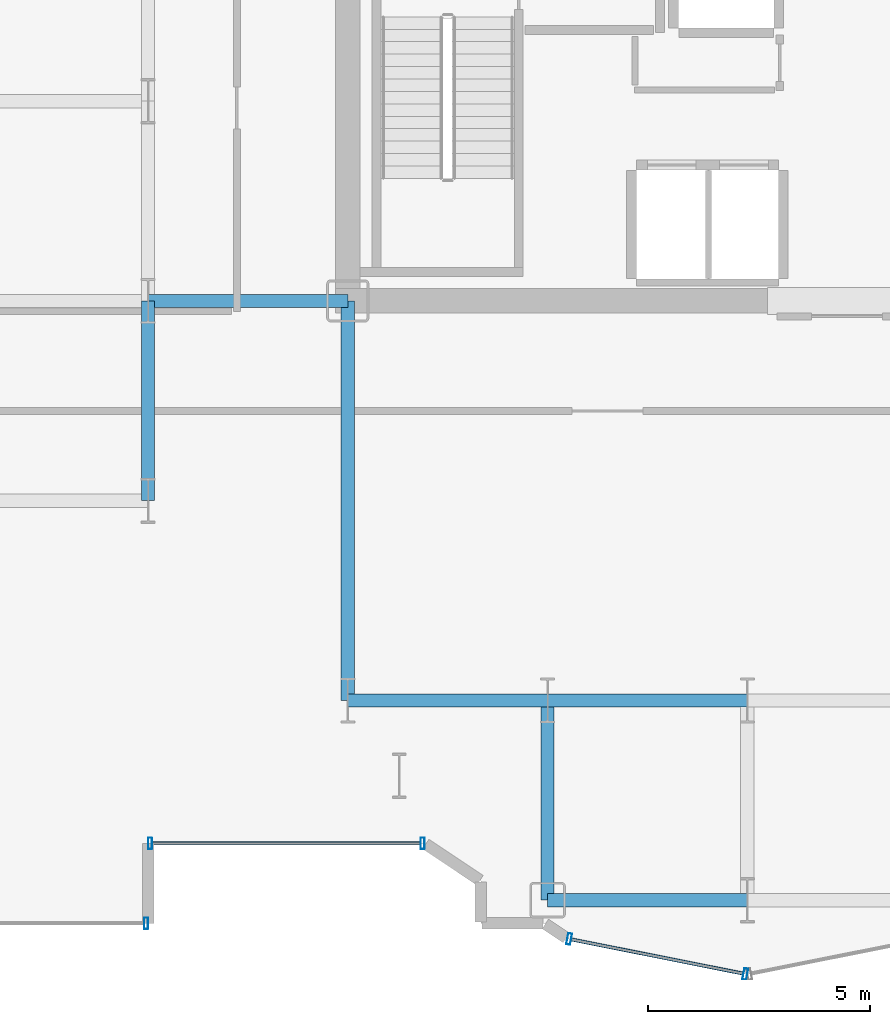
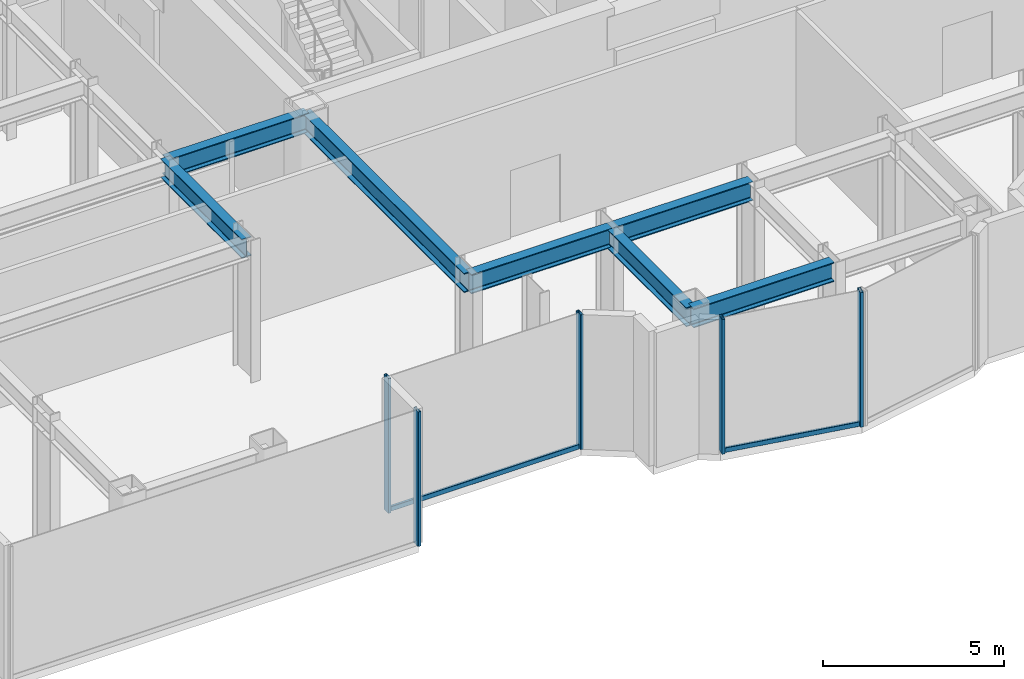
# One storey, part 4 of 27: 7 beams, 7 members, 3 elements without a shape of their own.
"""IFC4 building model written with IfcOpenShell, lengths in metres."""

import ifcopenshell
import ifcopenshell.guid

model = None  # the IFC model being written
_history = None  # IfcOwnerHistory: only IFC2X3 demands one
_inside = {}  # id of a spatial element -> (the spatial element, [elements in it])
_under = {}  # id of a project, library or spatial element -> (it, [spatial elements below it])
_declared = {}  # id of a project -> (the project, [libraries it declares])
_typed = {}  # id of a type object -> (the type object, [elements of that type])
_made_of = {}  # id of a material, layer set ... -> (it, [elements and type objects made of it])


def new_model(schema):
    """Start an empty IFC model of exactly this schema.

    Asked for "IFC4X3", IfcOpenShell would pick the latest addendum, in which some entities
    have other attributes; the version numbers below select the first issue.
    IFC2X3 requires an IfcOwnerHistory on every rooted entity: one is made here for all.
    """
    global model, _history
    if schema == "IFC4X3":
        model = ifcopenshell.file(schema_version=(4, 3, 0, 0))
    else:
        model = ifcopenshell.file(schema=schema)
    _inside.clear()
    _under.clear()
    _declared.clear()
    _typed.clear()
    _made_of.clear()
    _history = None
    if model.schema == "IFC2X3":
        org = make("IfcOrganization", Name="unknown")
        user = make(
            "IfcPersonAndOrganization",
            ThePerson=make("IfcPerson", FamilyName="unknown"),
            TheOrganization=org,
        )
        app = make(
            "IfcApplication",
            ApplicationDeveloper=org,
            Version="unknown",
            ApplicationFullName="unknown",
            ApplicationIdentifier="unknown",
        )
        _history = make(
            "IfcOwnerHistory",
            OwningUser=user,
            OwningApplication=app,
            ChangeAction="ADDED",
            CreationDate=0,
        )
    return model


def make(cls, **values):
    """One entity of the class cls with the attributes given. An attribute that is None is left unset."""
    return model.create_entity(
        cls, **{name: value for name, value in values.items() if value is not None}
    )


def rooted(cls, **values):
    """An entity with a GlobalId (a new one), such as an element, a storey or a relation."""
    return make(cls, GlobalId=ifcopenshell.guid.new(), OwnerHistory=_history, **values)


def si_unit(unit_type, name, prefix=None):
    """IfcSIUnit, for example si_unit("LENGTHUNIT", "METRE", prefix="MILLI")."""
    return make("IfcSIUnit", UnitType=unit_type, Prefix=prefix, Name=name)


def assignment(units):
    """IfcUnitAssignment: the units of a project."""
    return None if units is None else make("IfcUnitAssignment", Units=units)


def point(xyz):
    """IfcCartesianPoint."""
    return None if xyz is None else make("IfcCartesianPoint", Coordinates=xyz)


def direction(xyz):
    """IfcDirection."""
    return None if xyz is None else make("IfcDirection", DirectionRatios=xyz)


def frame(location, z_axis=None, x_axis=None):
    """IfcAxis2Placement3D, a coordinate frame: its origin and axes. An axis left out is left unset."""
    return make(
        "IfcAxis2Placement3D",
        Location=point(location),
        Axis=direction(z_axis),
        RefDirection=direction(x_axis),
    )


def frame_2d(location, x_axis=None):
    """IfcAxis2Placement2D, a coordinate frame in the plane: its origin and x axis."""
    return make(
        "IfcAxis2Placement2D", Location=point(location), RefDirection=direction(x_axis)
    )


def origin():
    """The frame at (0, 0, 0) with its axes left unset."""
    return frame((0.0, 0.0, 0.0))


def origin_2d():
    """The frame at (0, 0) in the plane with its x axis left unset."""
    return frame_2d((0.0, 0.0))


def place(relative_to, where):
    """IfcLocalPlacement: puts the frame where relative to a parent placement (None: the world)."""
    return make(
        "IfcLocalPlacement", PlacementRelTo=relative_to, RelativePlacement=where
    )


def context(
    kind, dimensions, precision=None, world=None, true_north=None, identifier=None
):
    """IfcGeometricRepresentationContext, for example the 3D "Model" context."""
    return make(
        "IfcGeometricRepresentationContext",
        ContextIdentifier=identifier,
        ContextType=kind,
        CoordinateSpaceDimension=dimensions,
        Precision=precision,
        WorldCoordinateSystem=world,
        TrueNorth=true_north,
    )


def subcontext(parent, identifier, kind, view, scale=None):
    """IfcGeometricRepresentationSubContext, for example "Body" below "Model"."""
    return make(
        "IfcGeometricRepresentationSubContext",
        ContextIdentifier=identifier,
        ContextType=kind,
        ParentContext=parent,
        TargetScale=scale,
        TargetView=view,
    )


def project(units=None, contexts=None):
    """IfcProject with its units and contexts."""
    return rooted(
        "IfcProject",
        Name="project",
        RepresentationContexts=contexts,
        UnitsInContext=assignment(units),
    )


def spatial(cls, under=None, at=None, **own):
    """A site, building, storey or space (cls), placed at a placement, below another one or the project."""
    s = rooted(cls, ObjectPlacement=at, **own)
    if under is not None:
        _under.setdefault(under.id(), (under, []))[1].append(s)
    return s


def profile(cls, at=None, kind="AREA", **sizes):
    """A parametric profile (cls). Its sizes go by their IFC names, for example OverallWidth=200.0."""
    return make(cls, ProfileType=kind, Position=at, **sizes)


def hollow_rectangle(**sizes):
    """IfcRectangleHollowProfileDef."""
    return profile("IfcRectangleHollowProfileDef", **sizes)


def i_section(**sizes):
    """IfcIShapeProfileDef."""
    return profile("IfcIShapeProfileDef", **sizes)


def extrude(swept, where, along, depth):
    """IfcExtrudedAreaSolid: the profile swept, set in the frame where, extruded along a direction by depth."""
    return make(
        "IfcExtrudedAreaSolid",
        SweptArea=swept,
        Position=where,
        ExtrudedDirection=direction(along),
        Depth=depth,
    )


def shape(context_of_items, identifier, shape_type, items):
    """IfcShapeRepresentation: the items that make up one representation, for example the "Body"."""
    return make(
        "IfcShapeRepresentation",
        ContextOfItems=context_of_items,
        RepresentationIdentifier=identifier,
        RepresentationType=shape_type,
        Items=items,
    )


def source(mapping_origin, context_of_items, identifier, shape_type, items):
    """IfcRepresentationMap: a shape defined once, which mapped items show again and again."""
    return make(
        "IfcRepresentationMap",
        MappingOrigin=mapping_origin,
        MappedRepresentation=shape(context_of_items, identifier, shape_type, items),
    )


def transform(
    local_origin,
    x_axis=None,
    y_axis=None,
    z_axis=None,
    scale=None,
    scale2=None,
    scale3=None,
    uniform=True,
):
    """IfcCartesianTransformationOperator3D, or its non-uniform kind. x_axis, y_axis, z_axis: its Axis1, 2, 3."""
    if uniform:
        return make(
            "IfcCartesianTransformationOperator3D",
            Axis1=direction(x_axis),
            Axis2=direction(y_axis),
            LocalOrigin=point(local_origin),
            Scale=scale,
            Axis3=direction(z_axis),
        )
    return make(
        "IfcCartesianTransformationOperator3DnonUniform",
        Axis1=direction(x_axis),
        Axis2=direction(y_axis),
        LocalOrigin=point(local_origin),
        Scale=scale,
        Axis3=direction(z_axis),
        Scale2=scale2,
        Scale3=scale3,
    )


def mapped(mapping_source, mapping_target):
    """IfcMappedItem: shows the shape of a source again, moved by a transform."""
    return make(
        "IfcMappedItem", MappingSource=mapping_source, MappingTarget=mapping_target
    )


def material(Name=None, Category=None):
    """IfcMaterial."""
    return make("IfcMaterial", Name=Name, Category=Category)


def layer(
    of_material, thickness, ventilated=None, Name=None, Category=None, Priority=None
):
    """IfcMaterialLayer: one layer of a wall or slab, of a material (None: an air gap)."""
    return make(
        "IfcMaterialLayer",
        Material=of_material,
        LayerThickness=thickness,
        IsVentilated=ventilated,
        Name=Name,
        Category=Category,
        Priority=Priority,
    )


def layer_set(layers, Name=None):
    """IfcMaterialLayerSet."""
    return make("IfcMaterialLayerSet", MaterialLayers=layers, LayerSetName=Name)


def material_profile(
    of_material, cross_section, Name=None, Category=None, Priority=None
):
    """IfcMaterialProfile: a cross section and its material."""
    return make(
        "IfcMaterialProfile",
        Name=Name,
        Material=of_material,
        Profile=cross_section,
        Priority=Priority,
        Category=Category,
    )


def profile_set(profiles, Name=None, composite=None):
    """IfcMaterialProfileSet."""
    return make(
        "IfcMaterialProfileSet",
        Name=Name,
        MaterialProfiles=profiles,
        CompositeProfile=composite,
    )


def made_of(thing, what):
    """Note that an element or type object is made of a material, layer set ...; save() writes the relation."""
    if what is not None:
        _made_of.setdefault(what.id(), (what, []))[1].append(thing)
    return thing


def type_object(cls, material=None, **own):
    """A type object (cls), such as IfcWallType, which elements share."""
    return made_of(rooted(cls, **own), material)


def element(
    cls,
    number,
    at=None,
    inside=None,
    cuts=None,
    type_object=None,
    material=None,
    context=None,
    identifier="Body",
    shape_type=None,
    held_by="IfcProductDefinitionShape",
    body=None,
    shapes=None,
    **own,
):
    """One element of the class cls, such as IfcWall. Its Tag is "e" and its number.

    at: its placement. inside: the storey or other place that contains it. cuts: it is an
    opening in that element (IfcRelVoidsElement). A single representation is given by context,
    identifier, shape_type and body (its items); several are given by shapes. held_by: the class
    of the entity that holds the representations. save() writes the other relations.
    """
    e = rooted(cls, Tag="e%d" % number, ObjectPlacement=at, **own)
    if body is not None:
        shapes = [shape(context, identifier, shape_type, body)]
    if shapes is not None:
        e.Representation = make(held_by, Representations=shapes)
    if inside is not None:
        _inside.setdefault(inside.id(), (inside, []))[1].append(e)
    if cuts is not None:
        rooted(
            "IfcRelVoidsElement", RelatingBuildingElement=cuts, RelatedOpeningElement=e
        )
    if type_object is not None:
        _typed.setdefault(type_object.id(), (type_object, []))[1].append(e)
    return made_of(e, material)


def aggregate(whole, parts):
    """IfcRelAggregates: a whole, such as a stair, and the parts it consists of."""
    return rooted("IfcRelAggregates", RelatingObject=whole, RelatedObjects=parts)


def save(model, path):
    """Write the relations noted so far, then the file.

    IfcRelAggregates (storeys below a building ...), IfcRelContainedInSpatialStructure (elements
    in a storey), IfcRelDefinesByType, IfcRelAssociatesMaterial and IfcRelDeclares: one each for
    every whole, place, type object, material and project.
    """
    for whole, parts in _under.values():
        aggregate(whole, parts)
    for where, things in _inside.values():
        rooted(
            "IfcRelContainedInSpatialStructure",
            RelatedElements=things,
            RelatingStructure=where,
        )
    for kind, things in _typed.values():
        rooted("IfcRelDefinesByType", RelatedObjects=things, RelatingType=kind)
    for what, things in _made_of.values():
        rooted("IfcRelAssociatesMaterial", RelatedObjects=things, RelatingMaterial=what)
    for by, libraries in _declared.values():
        rooted("IfcRelDeclares", RelatingContext=by, RelatedDefinitions=libraries)
    model.write(path)


model = new_model("IFC4")

# Units and contexts
model_context = context("Model", 3, precision=1e-05, world=origin(), true_north=direction((0.0, 1.0)))
body_context = subcontext(model_context, "Body", "Model", "MODEL_VIEW")
ifc_project = project(units=[si_unit("LENGTHUNIT", "METRE"), si_unit("AREAUNIT", "SQUARE_METRE"), si_unit("VOLUMEUNIT", "CUBIC_METRE"), si_unit("PLANEANGLEUNIT", "RADIAN"), si_unit("MASSUNIT", "GRAM", prefix="KILO")], contexts=[model_context])

# Site, building, storey
site_placement = place(None, origin())
site = spatial("IfcSite", under=ifc_project, at=site_placement, CompositionType="ELEMENT")
building_placement = place(site_placement, origin())
building = spatial("IfcBuilding", under=site, at=building_placement, Name="Nefas-Gora Pilgrimage Tower", CompositionType="ELEMENT")
storey_placement = place(building_placement, frame((0.0, 0.0, 144.0)))
storey = spatial("IfcBuildingStorey", under=building, at=storey_placement, Name="L35", CompositionType="ELEMENT", Elevation=144.0)

# Beams
ifc_material_1 = material(Name="Steel S355", Category="steel")
ifc_material_profile_1 = material_profile(ifc_material_1, i_section(OverallWidth=0.300048828125, OverallDepth=0.64990234375, WebThickness=0.01611328125, FlangeThickness=0.031005859375, FilletRadius=0.027099609375, at=origin_2d()), Name="HEB 650")
ifc_profile_set_1 = profile_set([ifc_material_profile_1], Name="Steel S355")
beam_type = type_object("IfcBeamType", Name="BM-GIR-HEB650", PredefinedType="BEAM", material=ifc_profile_set_1)
shared_shape_1 = source(origin(), body_context, "Body", "SweptSolid", [
    extrude(i_section(OverallWidth=0.300048828125, OverallDepth=0.64990234375, WebThickness=0.01611328125, FlangeThickness=0.031005859375, FilletRadius=0.027099609375, at=origin_2d()), origin(), (0.0, 0.0, 1.0), 9.0),
])
beam_placement = place(storey_placement, frame((-11.25, -18.0, 4.22509765625), z_axis=(0.0, 1.0, 0.0), x_axis=(-1.0, 0.0, 0.0)))
element("IfcBeam", 1, at=beam_placement, inside=storey, type_object=beam_type, Name="L35 G-03 beam", PredefinedType="BEAM", context=body_context, shape_type="MappedRepresentation", body=[
    mapped(shared_shape_1, transform((0.0, 0.0, 0.0), x_axis=(1.0, 0.0, 0.0), y_axis=(0.0, 1.0, 0.0), z_axis=(0.0, 0.0, 1.0), scale=1.0)),
])
shared_shape_2 = source(origin(), body_context, "Body", "SweptSolid", [
    extrude(i_section(OverallWidth=0.300048828125, OverallDepth=0.64990234375, WebThickness=0.01611328125, FlangeThickness=0.031005859375, FilletRadius=0.027099609375, at=origin_2d()), origin(), (0.0, 0.0, 1.0), 4.5),
])
for number, where, z_axis, x_axis, name in (
    (2, (-15.75, -13.5, 4.22509765625), (0.0, 1.0, 0.0), (-1.0, 0.0, 0.0), "L35 G-03 beam"),
    (3, (-15.75, -9.0, 4.22509765625), (1.0, 0.0, 0.0), (0.0, 1.0, 0.0), "L35 G-03 beam"),
    (4, (-11.25, -18.0, 4.22509765625), (1.0, 0.0, 0.0), (0.0, 1.0, 0.0), "L35 G-03 beam"),
    (5, (-6.75, -22.5, 4.22509765625), (0.0, 1.0, 0.0), (-1.0, 0.0, 0.0), "L35 G-03 beam"),
    (6, (-6.75, -22.5, 4.22509765625), (1.0, 0.0, 0.0), (0.0, 1.0, 0.0), "L35 G-03 beam"),
    (7, (-6.75, -18.0, 4.22509765625), (1.0, 0.0, 0.0), (0.0, 1.0, 0.0), "L35 G-03 beam"),
):
    element("IfcBeam", number, at=place(storey_placement, frame(where, z_axis=z_axis, x_axis=x_axis)), inside=storey, type_object=beam_type, Name=name, PredefinedType="BEAM", context=body_context, shape_type="MappedRepresentation", body=[
        mapped(shared_shape_2, transform((0.0, 0.0, 0.0), x_axis=(1.0, 0.0, 0.0), y_axis=(0.0, 1.0, 0.0), z_axis=(0.0, 0.0, 1.0), scale=1.0)),
    ])

# Curtain wall, member
ifc_material_2 = material(Name="Dark ceramic-fritted solar-control aluminium-glass curtain wall", Category="aluminium")
ifc_layer_1 = layer(ifc_material_2, 0.219970703125)
ifc_layer_set_1 = layer_set([ifc_layer_1], Name="Dark ceramic-fritted solar-control aluminium-glass curtain wall")
curtain_wall_type_1 = type_object("IfcCurtainWallType", Name="CW-SYS-5", PredefinedType="NOTDEFINED", material=ifc_layer_set_1)
curtain_wall_1_placement = place(storey_placement, origin())
curtain_wall_1 = element("IfcCurtainWall", 8, at=curtain_wall_1_placement, inside=storey, type_object=curtain_wall_type_1, Name="L35 Unitised Curtain Wall CW5", PredefinedType="NOTDEFINED")
ifc_material_3 = material(Name="Anodised architectural aluminium", Category="aluminium")
ifc_material_profile_2 = material_profile(ifc_material_3, hollow_rectangle(XDim=0.080078125, YDim=0.159912109375, WallThickness=0.00439453125, InnerFilletRadius=0.00439453125, OuterFilletRadius=0.009033203125, at=origin_2d()), Name="ALU TRANSOM 80x160")
ifc_profile_set_2 = profile_set([ifc_material_profile_2], Name="Anodised architectural aluminium")
member_type_1 = type_object("IfcMemberType", Name="CWM-TRN-5", PredefinedType="USERDEFINED", material=ifc_profile_set_2)
shared_shape_3 = source(origin(), body_context, "Body", "SweptSolid", [
    extrude(hollow_rectangle(XDim=0.080078125, YDim=0.159912109375, WallThickness=0.00439453125, InnerFilletRadius=0.00439453125, OuterFilletRadius=0.009033203125, at=origin_2d()), origin(), (0.0, 0.0, 1.0), 6.052001953125),
])
member_1_placement = place(storey_placement, frame((-15.659912109375, -21.219970703125, 0.050048828125), z_axis=(1.0, 0.0, 0.0), x_axis=(0.0, 1.0, 0.0)))
member_1 = element("IfcMember", 9, at=member_1_placement, type_object=member_type_1, Name="CW5 Spandrel Transom", ObjectType="TRANSOM", PredefinedType="USERDEFINED", context=body_context, shape_type="MappedRepresentation", body=[
    mapped(shared_shape_3, transform((0.0, 0.0, 0.0), x_axis=(1.0, 0.0, 0.0), y_axis=(0.0, 1.0, 0.0), z_axis=(0.0, 0.0, 1.0), scale=1.0)),
])

curtain_wall_2_placement = place(storey_placement, origin())
curtain_wall_2 = element("IfcCurtainWall", 10, at=curtain_wall_2_placement, inside=storey, type_object=curtain_wall_type_1, Name="L35 Unitised Curtain Wall CW5", PredefinedType="NOTDEFINED")
shared_shape_4 = source(origin(), body_context, "Body", "SweptSolid", [
    extrude(hollow_rectangle(XDim=0.080078125, YDim=0.159912109375, WallThickness=0.00439453125, InnerFilletRadius=0.00439453125, OuterFilletRadius=0.009033203125, at=origin_2d()), origin(), (0.0, 0.0, 1.0), 3.95654296875),
])
member_2_placement = place(storey_placement, frame((-6.218994140625, -23.3828125, 0.050048828125), z_axis=(0.980781880918, -0.195107411605, 0.0), x_axis=(0.195107411605, 0.980781880918, 0.0)))
member_2 = element("IfcMember", 11, at=member_2_placement, type_object=member_type_1, Name="CW5 Spandrel Transom", ObjectType="TRANSOM", PredefinedType="USERDEFINED", context=body_context, shape_type="MappedRepresentation", body=[
    mapped(shared_shape_4, transform((0.0, 0.0, 0.0), x_axis=(1.0, 0.0, 0.0), y_axis=(0.0, 1.0, 0.0), z_axis=(0.0, 0.0, 1.0), scale=1.0)),
])

# Member
ifc_material_profile_3 = material_profile(ifc_material_3, hollow_rectangle(XDim=0.090087890625, YDim=0.260009765625, WallThickness=0.006103515625, InnerFilletRadius=0.006103515625, OuterFilletRadius=0.011962890625, at=origin_2d()), Name="ALU MULLION 90x260")
ifc_profile_set_3 = profile_set([ifc_material_profile_3], Name="Anodised architectural aluminium")
member_type_2 = type_object("IfcMemberType", Name="CWM-MUL-5", PredefinedType="MULLION", material=ifc_profile_set_3)
shared_shape_5 = source(origin(), body_context, "Body", "SweptSolid", [
    extrude(hollow_rectangle(XDim=0.090087890625, YDim=0.260009765625, WallThickness=0.006103515625, InnerFilletRadius=0.006103515625, OuterFilletRadius=0.011962890625, at=origin_2d()), origin(), (0.0, 0.0, 1.0), 4.550048828125),
])
member_3_placement = place(storey_placement, frame((-15.705078125, -21.219970703125, 0.0), z_axis=(0.0, 0.0, 1.0), x_axis=(1.0, 0.0, 0.0)))
member_3 = element("IfcMember", 12, at=member_3_placement, type_object=member_type_2, Name="CW5 Mullion 1", PredefinedType="MULLION", context=body_context, shape_type="MappedRepresentation", body=[
    mapped(shared_shape_5, transform((0.0, 0.0, 0.0), x_axis=(1.0, 0.0, 0.0), y_axis=(0.0, 1.0, 0.0), z_axis=(0.0, 0.0, 1.0), scale=1.0)),
])

member_4_placement = place(storey_placement, frame((-9.56298828125, -21.219970703125, 0.0), z_axis=(0.0, 0.0, 1.0), x_axis=(1.0, 0.0, 0.0)))
member_4 = element("IfcMember", 13, at=member_4_placement, type_object=member_type_2, Name="CW5 Mullion 2", PredefinedType="MULLION", context=body_context, shape_type="MappedRepresentation", body=[
    mapped(shared_shape_5, transform((0.0, 0.0, 0.0), x_axis=(1.0, 0.0, 0.0), y_axis=(0.0, 1.0, 0.0), z_axis=(0.0, 0.0, 1.0), scale=1.0)),
])

aggregate(curtain_wall_1, [member_3, member_4, member_1])

member_5_placement = place(storey_placement, frame((-6.26318359375, -23.3740234375, 0.0), z_axis=(0.0, 0.0, 1.0), x_axis=(0.980782896852, -0.195102304554, 0.0)))
member_5 = element("IfcMember", 14, at=member_5_placement, type_object=member_type_2, Name="CW5 Mullion 1", PredefinedType="MULLION", context=body_context, shape_type="MappedRepresentation", body=[
    mapped(shared_shape_5, transform((0.0, 0.0, 0.0), x_axis=(1.0, 0.0, 0.0), y_axis=(0.0, 1.0, 0.0), z_axis=(0.0, 0.0, 1.0), scale=1.0)),
])

member_6_placement = place(storey_placement, frame((-2.294189453125, -24.16357421875, 0.0), z_axis=(0.0, 0.0, 1.0), x_axis=(0.980782896852, -0.195102304554, 0.0)))
member_6 = element("IfcMember", 15, at=member_6_placement, type_object=member_type_2, Name="CW5 Mullion 2", PredefinedType="MULLION", context=body_context, shape_type="MappedRepresentation", body=[
    mapped(shared_shape_5, transform((0.0, 0.0, 0.0), x_axis=(1.0, 0.0, 0.0), y_axis=(0.0, 1.0, 0.0), z_axis=(0.0, 0.0, 1.0), scale=1.0)),
])

aggregate(curtain_wall_2, [member_5, member_6, member_2])

# Curtain wall, member
ifc_layer_2 = layer(ifc_material_2, 0.219970703125)
ifc_layer_set_2 = layer_set([ifc_layer_2], Name="Dark ceramic-fritted solar-control aluminium-glass curtain wall")
curtain_wall_type_2 = type_object("IfcCurtainWallType", Name="CW-SYS-2", PredefinedType="NOTDEFINED", material=ifc_layer_set_2)
curtain_wall_3_placement = place(storey_placement, origin())
curtain_wall_3 = element("IfcCurtainWall", 16, at=curtain_wall_3_placement, inside=storey, type_object=curtain_wall_type_2, Name="L35 Unitised Curtain Wall CW2", PredefinedType="NOTDEFINED")
ifc_material_profile_4 = material_profile(ifc_material_3, hollow_rectangle(XDim=0.090087890625, YDim=0.260009765625, WallThickness=0.006103515625, InnerFilletRadius=0.006103515625, OuterFilletRadius=0.011962890625, at=origin_2d()), Name="ALU MULLION 90x260")
ifc_profile_set_4 = profile_set([ifc_material_profile_4], Name="Anodised architectural aluminium")
member_type_3 = type_object("IfcMemberType", Name="CWM-MUL-2", PredefinedType="MULLION", material=ifc_profile_set_4)
shared_shape_6 = source(origin(), body_context, "Body", "SweptSolid", [
    extrude(hollow_rectangle(XDim=0.090087890625, YDim=0.260009765625, WallThickness=0.006103515625, InnerFilletRadius=0.006103515625, OuterFilletRadius=0.011962890625, at=origin_2d()), origin(), (0.0, 0.0, 1.0), 4.550048828125),
])
member_7_placement = place(storey_placement, frame((-15.794921875, -23.02001953125, 0.0), z_axis=(0.0, 0.0, 1.0), x_axis=(1.0, 0.0, 0.0)))
member_7 = element("IfcMember", 17, at=member_7_placement, type_object=member_type_3, Name="CW2 Mullion 2", PredefinedType="MULLION", context=body_context, shape_type="MappedRepresentation", body=[
    mapped(shared_shape_6, transform((0.0, 0.0, 0.0), x_axis=(1.0, 0.0, 0.0), y_axis=(0.0, 1.0, 0.0), z_axis=(0.0, 0.0, 1.0), scale=1.0)),
])
aggregate(curtain_wall_3, [member_7])

save(model, "model.ifc")
